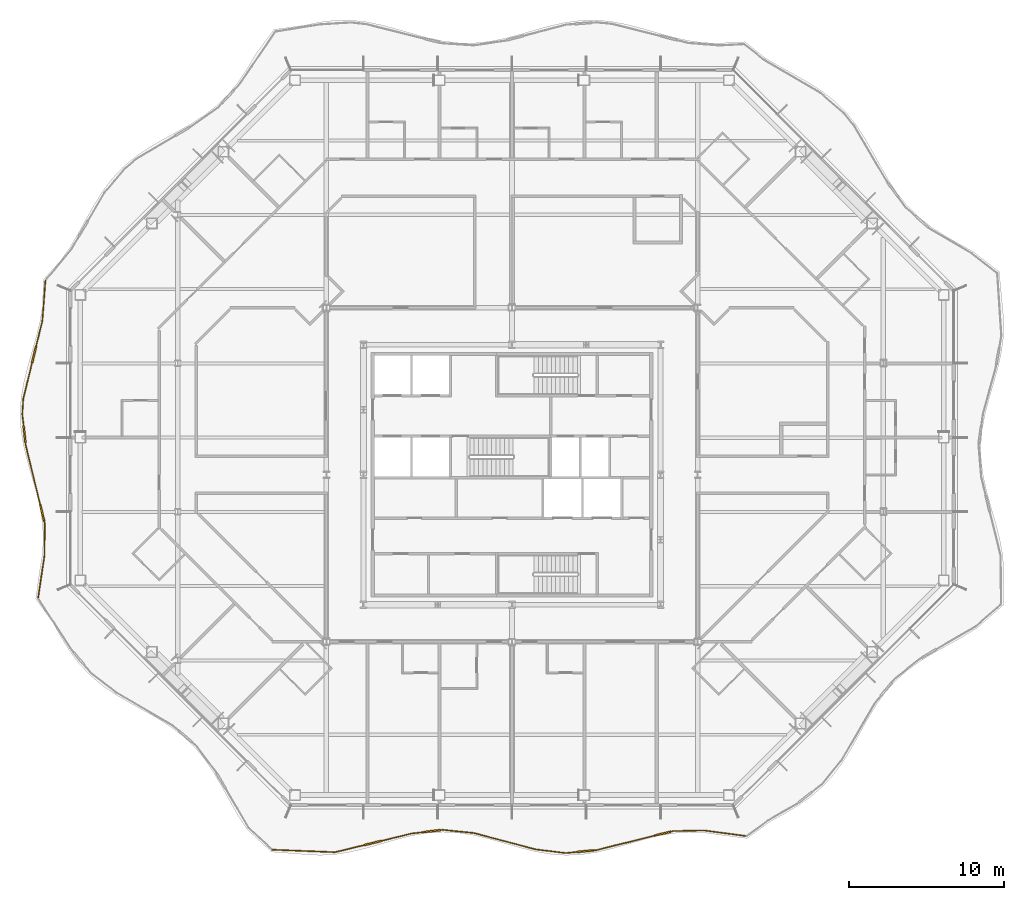
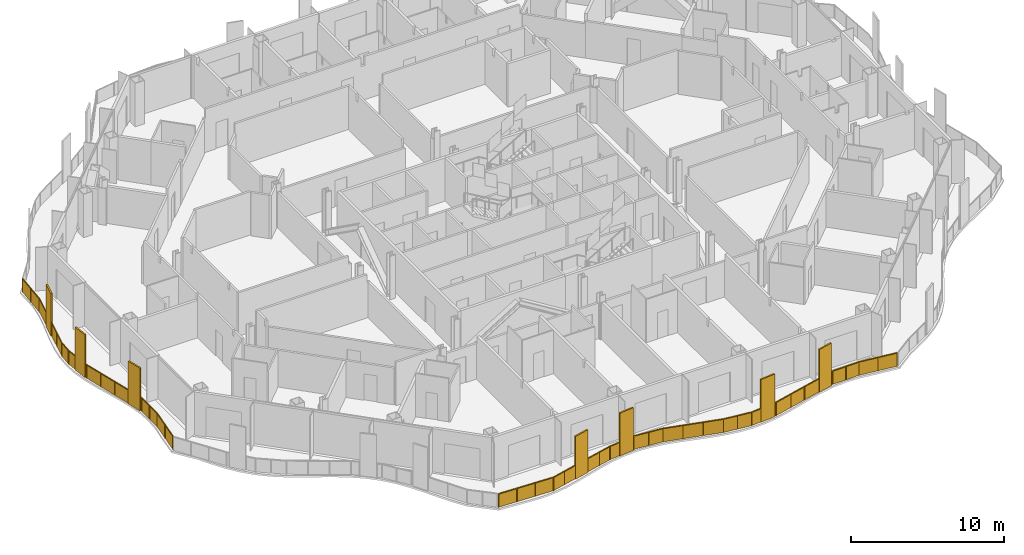
# One storey, part 16 of 21: 2 railings.
"""IFC4 building model written with IfcOpenShell, lengths in metres."""

from ifc_helpers import new_model, si_unit, direction, frame, origin, origin_2d, place, context, subcontext, project, spatial, polyline, rectangle, outline, extrude, material, type_object, element, save


model = new_model("IFC4")

# Units and contexts
model_context = context("Model", 3, precision=1e-05, world=origin(), true_north=direction((0.0, 1.0)))
body_context = subcontext(model_context, "Body", "Model", "MODEL_VIEW")
ifc_project = project(units=[si_unit("LENGTHUNIT", "METRE"), si_unit("AREAUNIT", "SQUARE_METRE"), si_unit("VOLUMEUNIT", "CUBIC_METRE"), si_unit("PLANEANGLEUNIT", "RADIAN"), si_unit("MASSUNIT", "GRAM", prefix="KILO")], contexts=[model_context])

# Site, building, storey
site_placement = place(None, origin())
site = spatial("IfcSite", under=ifc_project, at=site_placement, CompositionType="ELEMENT")
building_placement = place(site_placement, origin())
building = spatial("IfcBuilding", under=site, at=building_placement, Name="Cairn Pilgrim Tower", CompositionType="ELEMENT")
storey_placement = place(building_placement, frame((0.0, 0.0, 136.199951171875)))
storey = spatial("IfcBuildingStorey", under=building, at=storey_placement, Name="L33", CompositionType="ELEMENT", Elevation=136.199951171875)

# Railings
ifc_material = material(Name="Bronze anodised aluminium rail, posts and fin screens with laminated glass infill", Category="aluminium")
railing_type = type_object("IfcRailingType", Name="BALCONY GUARD WITH FIN SCREENS", PredefinedType="GUARDRAIL", material=ifc_material)
railing_1_placement = place(storey_placement, frame((-8.290283203125, -21.832763671875, 0.0)))
element("IfcRailing", 1, at=railing_1_placement, inside=storey, type_object=railing_type, Name="Balcony guard BGF-1 with fin screens", PredefinedType="GUARDRAIL", context=body_context, shape_type="SweptSolid", body=[
    extrude(rectangle(XDim=0.050048828125, YDim=0.050048828125, at=origin_2d()), frame((0.0, 0.0, 1.0751953125), z_axis=(0.999206427871, -0.039831074562, 0.0), x_axis=(0.039831074562, 0.999206427871, 0.0)), (0.0, 0.0, 1.0), 4.0576171875),
    extrude(rectangle(XDim=1.10009765625, YDim=0.110107421875, at=origin_2d()), frame((6.4892578125, 0.43359375, 0.0), z_axis=(0.0, 0.0, 1.0), x_axis=(0.971401950968, 0.237441044589, 0.0)), (0.0, 0.0, 1.0), 3.39990234375),
    extrude(rectangle(XDim=0.050048828125, YDim=0.050048828125, at=origin_2d()), frame((4.054443359375, -0.16162109375, 1.0751953125), z_axis=(0.971401950968, 0.237441044589, 0.0), x_axis=(-0.237441044589, 0.971401950968, 0.0)), (0.0, 0.0, 1.0), 1.95654296875),
    extrude(rectangle(XDim=0.050048828125, YDim=0.050048828125, at=origin_2d()), frame((7.0234375, 0.564208984375, 1.0751953125), z_axis=(0.971401950968, 0.237441044589, 0.0), x_axis=(-0.237441044589, 0.971401950968, 0.0)), (0.0, 0.0, 1.0), 2.04345703125),
    extrude(rectangle(XDim=1.10009765625, YDim=0.110107421875, at=origin_2d()), frame((10.324951171875, 1.20263671875, 0.0), z_axis=(0.0, 0.0, 1.0), x_axis=(0.993295474853, 0.115603199076, 0.0)), (0.0, 0.0, 1.0), 3.39990234375),
    extrude(rectangle(XDim=0.050048828125, YDim=0.050048828125, at=origin_2d()), frame((9.008544921875, 1.04931640625, 1.0751953125), z_axis=(0.993295474853, 0.115603199076, 0.0), x_axis=(-0.115603199076, 0.993295474853, 0.0)), (0.0, 0.0, 1.0), 0.775390625),
    extrude(rectangle(XDim=0.050048828125, YDim=0.050048828125, at=origin_2d()), frame((10.871337890625, 1.26611328125, 1.0751953125), z_axis=(0.993295474853, 0.115603199076, 0.0), x_axis=(-0.115603199076, 0.993295474853, 0.0)), (0.0, 0.0, 1.0), 0.14990234375),
    extrude(rectangle(XDim=0.050048828125, YDim=0.050048828125, at=origin_2d()), frame((11.020263671875, 1.283447265625, 1.0751953125), z_axis=(0.994844327286, -0.101413827788, 0.0), x_axis=(0.101413827788, 0.994844327286, 0.0)), (0.0, 0.0, 1.0), 2.024658203125),
    extrude(rectangle(XDim=0.050048828125, YDim=0.050048828125, at=origin_2d()), frame((13.034423828125, 1.078125, 1.0751953125), z_axis=(0.966537824594, -0.256524138493, 0.0), x_axis=(0.256524138493, 0.966537824594, 0.0)), (0.0, 0.0, 1.0), 4.111572265625),
    extrude(rectangle(XDim=0.050048828125, YDim=0.050048828125, at=origin_2d()), frame((17.00830078125, 0.0234375, 1.0751953125), z_axis=(0.992644427735, -0.121066263206, 0.0), x_axis=(0.121066263206, 0.992644427735, 0.0)), (0.0, 0.0, 1.0), 1.97412109375),
    extrude(rectangle(XDim=1.10009765625, YDim=0.110107421875, at=origin_2d()), frame((20.230224609375, -0.09423828125, 0.0), z_axis=(0.0, 0.0, 1.0), x_axis=(0.995415391014, 0.09564621965, 0.0)), (0.0, 0.0, 1.0), 3.39990234375),
    extrude(rectangle(XDim=0.050048828125, YDim=0.050048828125, at=origin_2d()), frame((18.968017578125, -0.215576171875, 1.0751953125), z_axis=(0.995415391014, 0.09564621965, 0.0), x_axis=(-0.09564621965, 0.995415391014, 0.0)), (0.0, 0.0, 1.0), 0.718017578125),
    extrude(rectangle(XDim=0.050048828125, YDim=0.050048828125, at=origin_2d()), frame((20.77783203125, -0.041748046875, 1.0751953125), z_axis=(0.995415391014, 0.09564621965, 0.0), x_axis=(-0.09564621965, 0.995415391014, 0.0)), (0.0, 0.0, 1.0), 0.14990234375),
    extrude(rectangle(XDim=1.10009765625, YDim=0.110107421875, at=origin_2d()), frame((25.218505859375, 1.035888671875, 0.0), z_axis=(0.0, 0.0, 1.0), x_axis=(0.97065069873, 0.240493702735, 0.0)), (0.0, 0.0, 1.0), 3.39990234375),
    extrude(rectangle(XDim=0.050048828125, YDim=0.050048828125, at=origin_2d()), frame((20.927001953125, -0.02734375, 1.0751953125), z_axis=(0.97065069873, 0.240493702735, 0.0), x_axis=(-0.240493702735, 0.97065069873, 0.0)), (0.0, 0.0, 1.0), 3.871337890625),
    extrude(rectangle(XDim=0.050048828125, YDim=0.050048828125, at=origin_2d()), frame((25.75244140625, 1.168212890625, 1.0751953125), z_axis=(0.97065069873, 0.240493702735, 0.0), x_axis=(-0.240493702735, 0.97065069873, 0.0)), (0.0, 0.0, 1.0), 0.150146484375),
    extrude(rectangle(XDim=0.050048828125, YDim=0.050048828125, at=origin_2d()), frame((25.898193359375, 1.204345703125, 1.0751953125), z_axis=(0.999797678894, 0.02011470303, 0.0), x_axis=(-0.02011470303, 0.999797678894, 0.0)), (0.0, 0.0, 1.0), 2.014892578125),
    extrude(rectangle(XDim=0.050048828125, YDim=0.050048828125, at=origin_2d()), frame((27.91259765625, 1.244873046875, 1.0751953125), z_axis=(0.991180338194, -0.132519950109, 0.0), x_axis=(0.132519950109, 0.991180338194, 0.0)), (0.0, 0.0, 1.0), 2.693359375),
    extrude(rectangle(XDim=0.050048828125, YDim=0.050048828125, at=origin_2d()), origin(), (0.0, 0.0, 1.0), 1.050048828125),
    extrude(rectangle(XDim=0.050048828125, YDim=0.050048828125, at=origin_2d()), frame((1.3515625, -0.053955078125, 0.0)), (0.0, 0.0, 1.0), 1.050048828125),
    extrude(rectangle(XDim=0.050048828125, YDim=0.050048828125, at=origin_2d()), frame((2.702880859375, -0.107666015625, 0.0)), (0.0, 0.0, 1.0), 1.050048828125),
    extrude(rectangle(XDim=0.050048828125, YDim=0.050048828125, at=origin_2d()), frame((4.054443359375, -0.16162109375, 0.0)), (0.0, 0.0, 1.0), 1.050048828125),
    extrude(rectangle(XDim=0.050048828125, YDim=0.050048828125, at=origin_2d()), frame((4.992431640625, 0.067626953125, 0.0)), (0.0, 0.0, 1.0), 1.050048828125),
    extrude(rectangle(XDim=0.050048828125, YDim=0.050048828125, at=origin_2d()), frame((5.9306640625, 0.296875, 0.0)), (0.0, 0.0, 1.0), 1.050048828125),
    extrude(rectangle(XDim=0.050048828125, YDim=0.050048828125, at=origin_2d()), frame((7.0478515625, 0.570068359375, 0.0)), (0.0, 0.0, 1.0), 1.050048828125),
    extrude(rectangle(XDim=0.050048828125, YDim=0.050048828125, at=origin_2d()), frame((8.028076171875, 0.8095703125, 0.0)), (0.0, 0.0, 1.0), 1.050048828125),
    extrude(rectangle(XDim=0.050048828125, YDim=0.050048828125, at=origin_2d()), frame((9.008544921875, 1.04931640625, 0.0)), (0.0, 0.0, 1.0), 1.050048828125),
    extrude(rectangle(XDim=0.050048828125, YDim=0.050048828125, at=origin_2d()), frame((9.75390625, 1.135986328125, 0.0)), (0.0, 0.0, 1.0), 1.050048828125),
    extrude(rectangle(XDim=0.050048828125, YDim=0.050048828125, at=origin_2d()), frame((10.896240234375, 1.26904296875, 0.0)), (0.0, 0.0, 1.0), 1.050048828125),
    extrude(rectangle(XDim=0.050048828125, YDim=0.050048828125, at=origin_2d()), frame((11.020263671875, 1.283447265625, 0.0)), (0.0, 0.0, 1.0), 1.050048828125),
    extrude(rectangle(XDim=0.050048828125, YDim=0.050048828125, at=origin_2d()), frame((12.02734375, 1.1806640625, 0.0)), (0.0, 0.0, 1.0), 1.050048828125),
    extrude(rectangle(XDim=0.050048828125, YDim=0.050048828125, at=origin_2d()), frame((13.034423828125, 1.078125, 0.0)), (0.0, 0.0, 1.0), 1.050048828125),
    extrude(rectangle(XDim=0.050048828125, YDim=0.050048828125, at=origin_2d()), frame((14.359130859375, 0.7265625, 0.0)), (0.0, 0.0, 1.0), 1.050048828125),
    extrude(rectangle(XDim=0.050048828125, YDim=0.050048828125, at=origin_2d()), frame((15.68359375, 0.375, 0.0)), (0.0, 0.0, 1.0), 1.050048828125),
    extrude(rectangle(XDim=0.050048828125, YDim=0.050048828125, at=origin_2d()), frame((17.00830078125, 0.0234375, 0.0)), (0.0, 0.0, 1.0), 1.050048828125),
    extrude(rectangle(XDim=0.050048828125, YDim=0.050048828125, at=origin_2d()), frame((17.98828125, -0.09619140625, 0.0)), (0.0, 0.0, 1.0), 1.050048828125),
    extrude(rectangle(XDim=0.050048828125, YDim=0.050048828125, at=origin_2d()), frame((18.968017578125, -0.215576171875, 0.0)), (0.0, 0.0, 1.0), 1.050048828125),
    extrude(rectangle(XDim=0.050048828125, YDim=0.050048828125, at=origin_2d()), frame((19.657958984375, -0.149169921875, 0.0)), (0.0, 0.0, 1.0), 1.050048828125),
    extrude(rectangle(XDim=0.050048828125, YDim=0.050048828125, at=origin_2d()), frame((20.802734375, -0.039306640625, 0.0)), (0.0, 0.0, 1.0), 1.050048828125),
    extrude(rectangle(XDim=0.050048828125, YDim=0.050048828125, at=origin_2d()), frame((20.927001953125, -0.02734375, 0.0)), (0.0, 0.0, 1.0), 1.050048828125),
    extrude(rectangle(XDim=0.050048828125, YDim=0.050048828125, at=origin_2d()), frame((22.17138671875, 0.281005859375, 0.0)), (0.0, 0.0, 1.0), 1.050048828125),
    extrude(rectangle(XDim=0.050048828125, YDim=0.050048828125, at=origin_2d()), frame((23.416015625, 0.58935546875, 0.0)), (0.0, 0.0, 1.0), 1.050048828125),
    extrude(rectangle(XDim=0.050048828125, YDim=0.050048828125, at=origin_2d()), frame((24.660400390625, 0.897705078125, 0.0)), (0.0, 0.0, 1.0), 1.050048828125),
    extrude(rectangle(XDim=0.050048828125, YDim=0.050048828125, at=origin_2d()), frame((25.77685546875, 1.17431640625, 0.0)), (0.0, 0.0, 1.0), 1.050048828125),
    extrude(rectangle(XDim=0.050048828125, YDim=0.050048828125, at=origin_2d()), frame((25.898193359375, 1.204345703125, 0.0)), (0.0, 0.0, 1.0), 1.050048828125),
    extrude(rectangle(XDim=0.050048828125, YDim=0.050048828125, at=origin_2d()), frame((26.9052734375, 1.224609375, 0.0)), (0.0, 0.0, 1.0), 1.050048828125),
    extrude(rectangle(XDim=0.050048828125, YDim=0.050048828125, at=origin_2d()), frame((27.91259765625, 1.244873046875, 0.0)), (0.0, 0.0, 1.0), 1.050048828125),
    extrude(rectangle(XDim=0.050048828125, YDim=0.050048828125, at=origin_2d()), frame((29.24755859375, 1.06640625, 0.0)), (0.0, 0.0, 1.0), 1.050048828125),
    extrude(rectangle(XDim=0.050048828125, YDim=0.050048828125, at=origin_2d()), frame((30.582275390625, 0.887939453125, 0.0)), (0.0, 0.0, 1.0), 1.050048828125),
    extrude(outline(polyline([(0.02490234375, 0.0), (1.32763671875, 0.0), (1.32763671875, 1.050048828125), (0.02490234375, 1.050048828125), (0.02490234375, 0.0)])), frame((0.000244140625, 0.005859375, 0.0), z_axis=(-0.039831074562, -0.999206427871, 0.0), x_axis=(0.999206427871, -0.039831074562, 0.0)), (0.0, 0.0, 1.0), 0.011962890625),
    extrude(outline(polyline([(0.02490234375, 0.0), (1.32763671875, 0.0), (1.32763671875, 1.050048828125), (0.02490234375, 1.050048828125), (0.02490234375, 0.0)])), frame((1.351806640625, -0.0478515625, 0.0), z_axis=(-0.039831074562, -0.999206427871, 0.0), x_axis=(0.999206427871, -0.039831074562, 0.0)), (0.0, 0.0, 1.0), 0.011962890625),
    extrude(outline(polyline([(0.02490234375, 0.0), (1.32763671875, 0.0), (1.32763671875, 1.050048828125), (0.02490234375, 1.050048828125), (0.02490234375, 0.0)])), frame((2.703125, -0.101806640625, 0.0), z_axis=(-0.039831074562, -0.999206427871, 0.0), x_axis=(0.999206427871, -0.039831074562, 0.0)), (0.0, 0.0, 1.0), 0.011962890625),
    extrude(outline(polyline([(0.02490234375, 0.0), (0.940673828125, 0.0), (0.940673828125, 1.050048828125), (0.02490234375, 1.050048828125), (0.02490234375, 0.0)])), frame((4.052978515625, -0.15576171875, 0.0), z_axis=(0.237441044589, -0.971401950968, 0.0), x_axis=(0.971401950968, 0.237441044589, 0.0)), (0.0, 0.0, 1.0), 0.011962890625),
    extrude(outline(polyline([(0.02490234375, 0.0), (0.940673828125, 0.0), (0.940673828125, 1.050048828125), (0.02490234375, 1.050048828125), (0.02490234375, 0.0)])), frame((4.9912109375, 0.073486328125, 0.0), z_axis=(0.237441044589, -0.971401950968, 0.0), x_axis=(0.971401950968, 0.237441044589, 0.0)), (0.0, 0.0, 1.0), 0.011962890625),
    extrude(outline(polyline([(0.02490234375, 0.0), (0.984130859375, 0.0), (0.984130859375, 1.050048828125), (0.02490234375, 1.050048828125), (0.02490234375, 0.0)])), frame((7.04638671875, 0.575927734375, 0.0), z_axis=(0.237441044589, -0.971401950968, 0.0), x_axis=(0.971401950968, 0.237441044589, 0.0)), (0.0, 0.0, 1.0), 0.011962890625),
    extrude(outline(polyline([(0.02490234375, 0.0), (0.984130859375, 0.0), (0.984130859375, 1.050048828125), (0.02490234375, 1.050048828125), (0.02490234375, 0.0)])), frame((8.02685546875, 0.8154296875, 0.0), z_axis=(0.237441044589, -0.971401950968, 0.0), x_axis=(0.971401950968, 0.237441044589, 0.0)), (0.0, 0.0, 1.0), 0.011962890625),
    extrude(outline(polyline([(0.02490234375, 0.0), (0.725341796875, 0.0), (0.725341796875, 1.050048828125), (0.02490234375, 1.050048828125), (0.02490234375, 0.0)])), frame((9.0078125, 1.05517578125, 0.0), z_axis=(0.115603199076, -0.993295474853, 0.0), x_axis=(0.993295474853, 0.115603199076, 0.0)), (0.0, 0.0, 1.0), 0.011962890625),
    extrude(outline(polyline([(0.02490234375, 0.0), (0.099853515625, 0.0), (0.099853515625, 1.050048828125), (0.02490234375, 1.050048828125), (0.02490234375, 0.0)])), frame((10.8955078125, 1.27490234375, 0.0), z_axis=(0.115603199076, -0.993295474853, 0.0), x_axis=(0.993295474853, 0.115603199076, 0.0)), (0.0, 0.0, 1.0), 0.011962890625),
    extrude(outline(polyline([(0.02490234375, 0.0), (0.9873046875, 0.0), (0.9873046875, 1.050048828125), (0.02490234375, 1.050048828125), (0.02490234375, 0.0)])), frame((11.020751953125, 1.289306640625, 0.0), z_axis=(-0.101413827788, -0.994844327286, 0.0), x_axis=(0.994844327286, -0.101413827788, 0.0)), (0.0, 0.0, 1.0), 0.011962890625),
    extrude(outline(polyline([(0.02490234375, 0.0), (0.9873046875, 0.0), (0.9873046875, 1.050048828125), (0.02490234375, 1.050048828125), (0.02490234375, 0.0)])), frame((12.02783203125, 1.186767578125, 0.0), z_axis=(-0.101413827788, -0.994844327286, 0.0), x_axis=(0.994844327286, -0.101413827788, 0.0)), (0.0, 0.0, 1.0), 0.011962890625),
    extrude(outline(polyline([(0.02490234375, 0.0), (1.345458984375, 0.0), (1.345458984375, 1.050048828125), (0.02490234375, 1.050048828125), (0.02490234375, 0.0)])), frame((13.035888671875, 1.083984375, 0.0), z_axis=(-0.256524138493, -0.966537824594, 0.0), x_axis=(0.966537824594, -0.256524138493, 0.0)), (0.0, 0.0, 1.0), 0.011962890625),
    extrude(outline(polyline([(0.02490234375, 0.0), (1.345458984375, 0.0), (1.345458984375, 1.050048828125), (0.02490234375, 1.050048828125), (0.02490234375, 0.0)])), frame((14.360595703125, 0.732421875, 0.0), z_axis=(-0.256524138493, -0.966537824594, 0.0), x_axis=(0.966537824594, -0.256524138493, 0.0)), (0.0, 0.0, 1.0), 0.011962890625),
    extrude(outline(polyline([(0.02490234375, 0.0), (1.345458984375, 0.0), (1.345458984375, 1.050048828125), (0.02490234375, 1.050048828125), (0.02490234375, 0.0)])), frame((15.685302734375, 0.380859375, 0.0), z_axis=(-0.256524138493, -0.966537824594, 0.0), x_axis=(0.966537824594, -0.256524138493, 0.0)), (0.0, 0.0, 1.0), 0.011962890625),
    extrude(outline(polyline([(0.02490234375, 0.0), (0.962158203125, 0.0), (0.962158203125, 1.050048828125), (0.02490234375, 1.050048828125), (0.02490234375, 0.0)])), frame((17.009033203125, 0.029296875, 0.0), z_axis=(-0.121066263206, -0.992644427735, 0.0), x_axis=(0.992644427735, -0.121066263206, 0.0)), (0.0, 0.0, 1.0), 0.011962890625),
    extrude(outline(polyline([(0.02490234375, 0.0), (0.962158203125, 0.0), (0.962158203125, 1.050048828125), (0.02490234375, 1.050048828125), (0.02490234375, 0.0)])), frame((17.98876953125, -0.090087890625, 0.0), z_axis=(-0.121066263206, -0.992644427735, 0.0), x_axis=(0.992644427735, -0.121066263206, 0.0)), (0.0, 0.0, 1.0), 0.011962890625),
    extrude(outline(polyline([(0.02490234375, 0.0), (0.66796875, 0.0), (0.66796875, 1.050048828125), (0.02490234375, 1.050048828125), (0.02490234375, 0.0)])), frame((18.967529296875, -0.209716796875, 0.0), z_axis=(0.09564621965, -0.995415391014, 0.0), x_axis=(0.995415391014, 0.09564621965, 0.0)), (0.0, 0.0, 1.0), 0.011962890625),
    extrude(outline(polyline([(0.02490234375, 0.0), (0.099853515625, 0.0), (0.099853515625, 1.050048828125), (0.02490234375, 1.050048828125), (0.02490234375, 0.0)])), frame((20.802001953125, -0.033447265625, 0.0), z_axis=(0.09564621965, -0.995415391014, 0.0), x_axis=(0.995415391014, 0.09564621965, 0.0)), (0.0, 0.0, 1.0), 0.011962890625),
    extrude(outline(polyline([(0.02490234375, 0.0), (1.257080078125, 0.0), (1.257080078125, 1.050048828125), (0.02490234375, 1.050048828125), (0.02490234375, 0.0)])), frame((20.925537109375, -0.021484375, 0.0), z_axis=(0.240493702735, -0.97065069873, 0.0), x_axis=(0.97065069873, 0.240493702735, 0.0)), (0.0, 0.0, 1.0), 0.011962890625),
    extrude(outline(polyline([(0.02490234375, 0.0), (1.257080078125, 0.0), (1.257080078125, 1.050048828125), (0.02490234375, 1.050048828125), (0.02490234375, 0.0)])), frame((22.170166015625, 0.286865234375, 0.0), z_axis=(0.240493702735, -0.97065069873, 0.0), x_axis=(0.97065069873, 0.240493702735, 0.0)), (0.0, 0.0, 1.0), 0.011962890625),
    extrude(outline(polyline([(0.02490234375, 0.0), (1.257080078125, 0.0), (1.257080078125, 1.050048828125), (0.02490234375, 1.050048828125), (0.02490234375, 0.0)])), frame((23.41455078125, 0.59521484375, 0.0), z_axis=(0.240493702735, -0.97065069873, 0.0), x_axis=(0.97065069873, 0.240493702735, 0.0)), (0.0, 0.0, 1.0), 0.011962890625),
    extrude(outline(polyline([(0.02490234375, 0.0), (0.10009765625, 0.0), (0.10009765625, 1.050048828125), (0.02490234375, 1.050048828125), (0.02490234375, 0.0)])), frame((25.775390625, 1.18017578125, 0.0), z_axis=(0.240493702735, -0.97065069873, 0.0), x_axis=(0.97065069873, 0.240493702735, 0.0)), (0.0, 0.0, 1.0), 0.011962890625),
    extrude(outline(polyline([(0.02490234375, 0.0), (0.982421875, 0.0), (0.982421875, 1.050048828125), (0.02490234375, 1.050048828125), (0.02490234375, 0.0)])), frame((25.898193359375, 1.210205078125, 0.0), z_axis=(0.02011470303, -0.999797678894, 0.0), x_axis=(0.999797678894, 0.02011470303, 0.0)), (0.0, 0.0, 1.0), 0.011962890625),
    extrude(outline(polyline([(0.02490234375, 0.0), (0.982421875, 0.0), (0.982421875, 1.050048828125), (0.02490234375, 1.050048828125), (0.02490234375, 0.0)])), frame((26.9052734375, 1.23046875, 0.0), z_axis=(0.02011470303, -0.999797678894, 0.0), x_axis=(0.999797678894, 0.02011470303, 0.0)), (0.0, 0.0, 1.0), 0.011962890625),
    extrude(outline(polyline([(0.02490234375, 0.0), (1.32177734375, 0.0), (1.32177734375, 1.050048828125), (0.02490234375, 1.050048828125), (0.02490234375, 0.0)])), frame((27.913330078125, 1.250732421875, 0.0), z_axis=(-0.132519950109, -0.991180338194, 0.0), x_axis=(0.991180338194, -0.132519950109, 0.0)), (0.0, 0.0, 1.0), 0.011962890625),
    extrude(outline(polyline([(0.02490234375, 0.0), (1.32177734375, 0.0), (1.32177734375, 1.050048828125), (0.02490234375, 1.050048828125), (0.02490234375, 0.0)])), frame((29.248291015625, 1.072265625, 0.0), z_axis=(-0.132519950109, -0.991180338194, 0.0), x_axis=(0.991180338194, -0.132519950109, 0.0)), (0.0, 0.0, 1.0), 0.011962890625),
])
railing_2_placement = place(storey_placement, frame((-22.954833984375, 14.962646484375, 0.0)))
element("IfcRailing", 2, at=railing_2_placement, inside=storey, type_object=railing_type, Name="Balcony guard BGF-7 with fin screens", PredefinedType="GUARDRAIL", context=body_context, shape_type="SweptSolid", body=[
    extrude(rectangle(XDim=0.050048828125, YDim=0.050048828125, at=origin_2d()), frame((0.0, 0.0, 1.0751953125), z_axis=(-0.075996812855, -0.997108060561, 0.0), x_axis=(0.997108060561, -0.075996812855, 0.0)), (0.0, 0.0, 1.0), 2.614990234375),
    extrude(rectangle(XDim=1.10009765625, YDim=0.110107421875, at=origin_2d()), frame((-0.733154296875, -4.790283203125, 0.0), z_axis=(0.0, 0.0, 1.0), x_axis=(-0.237816307136, -0.971310148233, 0.0)), (0.0, 0.0, 1.0), 3.39990234375),
    extrude(rectangle(XDim=0.050048828125, YDim=0.050048828125, at=origin_2d()), frame((-0.19873046875, -2.607421875, 1.0751953125), z_axis=(-0.237816307136, -0.971310148233, 0.0), x_axis=(0.971310148233, -0.237816307136, 0.0)), (0.0, 0.0, 1.0), 1.697265625),
    extrude(rectangle(XDim=0.050048828125, YDim=0.050048828125, at=origin_2d()), frame((-0.864013671875, -5.324462890625, 1.0751953125), z_axis=(-0.237816307136, -0.971310148233, 0.0), x_axis=(0.971310148233, -0.237816307136, 0.0)), (0.0, 0.0, 1.0), 2.4033203125),
    extrude(rectangle(XDim=0.050048828125, YDim=0.050048828125, at=origin_2d()), frame((-1.435546875, -7.658935546875, 1.0751953125), z_axis=(-0.0599120253, -0.998203661196, 0.0), x_axis=(0.998203661196, -0.0599120253, 0.0)), (0.0, 0.0, 1.0), 0.986083984375),
    extrude(rectangle(XDim=1.10009765625, YDim=0.110107421875, at=origin_2d()), frame((-1.353271484375, -9.946044921875, 0.0), z_axis=(0.0, 0.0, 1.0), x_axis=(0.107952211914, -0.994156084296, 0.0)), (0.0, 0.0, 1.0), 3.39990234375),
    extrude(rectangle(XDim=0.050048828125, YDim=0.050048828125, at=origin_2d()), frame((-1.49462890625, -8.643310546875, 1.0751953125), z_axis=(0.107952211914, -0.994156084296, 0.0), x_axis=(0.994156084296, 0.107952211914, 0.0)), (0.0, 0.0, 1.0), 0.76025390625),
    extrude(rectangle(XDim=0.050048828125, YDim=0.050048828125, at=origin_2d()), frame((-1.293701171875, -10.49267578125, 1.0751953125), z_axis=(0.107952211914, -0.994156084296, 0.0), x_axis=(0.994156084296, 0.107952211914, 0.0)), (0.0, 0.0, 1.0), 0.150146484375),
    extrude(rectangle(XDim=1.10009765625, YDim=0.110107421875, at=origin_2d()), frame((-0.2119140625, -15.02294921875, 0.0), z_axis=(0.0, 0.0, 1.0), x_axis=(0.236376696123, -0.971661493284, 0.0)), (0.0, 0.0, 1.0), 3.39990234375),
    extrude(rectangle(XDim=0.050048828125, YDim=0.050048828125, at=origin_2d()), frame((-1.277587890625, -10.64208984375, 1.0751953125), z_axis=(0.236376696123, -0.971661493284, 0.0), x_axis=(0.971661493284, 0.236376696123, 0.0)), (0.0, 0.0, 1.0), 3.95849609375),
    extrude(rectangle(XDim=0.050048828125, YDim=0.050048828125, at=origin_2d()), frame((-0.081787109375, -15.557373046875, 1.0751953125), z_axis=(0.236376696123, -0.971661493284, 0.0), x_axis=(0.971661493284, 0.236376696123, 0.0)), (0.0, 0.0, 1.0), 0.150146484375),
    extrude(rectangle(XDim=0.050048828125, YDim=0.050048828125, at=origin_2d()), frame((-0.04638671875, -15.703125, 1.0751953125), z_axis=(-0.007026145488, -0.999975316335, 0.0), x_axis=(0.999975316335, -0.007026145488, 0.0)), (0.0, 0.0, 1.0), 2.050048828125),
    extrude(rectangle(XDim=0.050048828125, YDim=0.050048828125, at=origin_2d()), frame((-0.060791015625, -17.753173828125, 1.0751953125), z_axis=(-0.147107653991, -0.989120487169, 0.0), x_axis=(0.989120487169, -0.147107653991, 0.0)), (0.0, 0.0, 1.0), 2.769775390625),
    extrude(rectangle(XDim=0.050048828125, YDim=0.050048828125, at=origin_2d()), origin(), (0.0, 0.0, 1.0), 1.050048828125),
    extrude(rectangle(XDim=0.050048828125, YDim=0.050048828125, at=origin_2d()), frame((-0.099365234375, -1.3037109375, 0.0)), (0.0, 0.0, 1.0), 1.050048828125),
    extrude(rectangle(XDim=0.050048828125, YDim=0.050048828125, at=origin_2d()), frame((-0.19873046875, -2.607421875, 0.0)), (0.0, 0.0, 1.0), 1.050048828125),
    extrude(rectangle(XDim=0.050048828125, YDim=0.050048828125, at=origin_2d()), frame((-0.596435546875, -4.231689453125, 0.0)), (0.0, 0.0, 1.0), 1.050048828125),
    extrude(rectangle(XDim=0.050048828125, YDim=0.050048828125, at=origin_2d()), frame((-0.869873046875, -5.348876953125, 0.0)), (0.0, 0.0, 1.0), 1.050048828125),
    extrude(rectangle(XDim=0.050048828125, YDim=0.050048828125, at=origin_2d()), frame((-1.15283203125, -6.50390625, 0.0)), (0.0, 0.0, 1.0), 1.050048828125),
    extrude(rectangle(XDim=0.050048828125, YDim=0.050048828125, at=origin_2d()), frame((-1.435546875, -7.658935546875, 0.0)), (0.0, 0.0, 1.0), 1.050048828125),
    extrude(rectangle(XDim=0.050048828125, YDim=0.050048828125, at=origin_2d()), frame((-1.49462890625, -8.643310546875, 0.0)), (0.0, 0.0, 1.0), 1.050048828125),
    extrude(rectangle(XDim=0.050048828125, YDim=0.050048828125, at=origin_2d()), frame((-1.415283203125, -9.374267578125, 0.0)), (0.0, 0.0, 1.0), 1.050048828125),
    extrude(rectangle(XDim=0.050048828125, YDim=0.050048828125, at=origin_2d()), frame((-1.291015625, -10.517578125, 0.0)), (0.0, 0.0, 1.0), 1.050048828125),
    extrude(rectangle(XDim=0.050048828125, YDim=0.050048828125, at=origin_2d()), frame((-1.277587890625, -10.64208984375, 0.0)), (0.0, 0.0, 1.0), 1.050048828125),
    extrude(rectangle(XDim=0.050048828125, YDim=0.050048828125, at=origin_2d()), frame((-0.9677734375, -11.916015625, 0.0)), (0.0, 0.0, 1.0), 1.050048828125),
    extrude(rectangle(XDim=0.050048828125, YDim=0.050048828125, at=origin_2d()), frame((-0.65771484375, -13.190185546875, 0.0)), (0.0, 0.0, 1.0), 1.050048828125),
    extrude(rectangle(XDim=0.050048828125, YDim=0.050048828125, at=origin_2d()), frame((-0.347900390625, -14.464111328125, 0.0)), (0.0, 0.0, 1.0), 1.050048828125),
    extrude(rectangle(XDim=0.050048828125, YDim=0.050048828125, at=origin_2d()), frame((-0.075927734375, -15.58154296875, 0.0)), (0.0, 0.0, 1.0), 1.050048828125),
    extrude(rectangle(XDim=0.050048828125, YDim=0.050048828125, at=origin_2d()), frame((-0.04638671875, -15.703125, 0.0)), (0.0, 0.0, 1.0), 1.050048828125),
    extrude(rectangle(XDim=0.050048828125, YDim=0.050048828125, at=origin_2d()), frame((-0.0537109375, -16.72802734375, 0.0)), (0.0, 0.0, 1.0), 1.050048828125),
    extrude(rectangle(XDim=0.050048828125, YDim=0.050048828125, at=origin_2d()), frame((-0.060791015625, -17.753173828125, 0.0)), (0.0, 0.0, 1.0), 1.050048828125),
    extrude(rectangle(XDim=0.050048828125, YDim=0.050048828125, at=origin_2d()), frame((-0.2646484375, -19.123046875, 0.0)), (0.0, 0.0, 1.0), 1.050048828125),
    extrude(rectangle(XDim=0.050048828125, YDim=0.050048828125, at=origin_2d()), frame((-0.46826171875, -20.492919921875, 0.0)), (0.0, 0.0, 1.0), 1.050048828125),
    extrude(outline(polyline([(0.02490234375, 0.0), (1.282470703125, 0.0), (1.282470703125, 1.050048828125), (0.02490234375, 1.050048828125), (0.02490234375, 0.0)])), frame((0.005859375, -0.00048828125, 0.0), z_axis=(-0.997108060561, 0.075996812855, 0.0), x_axis=(-0.075996812855, -0.997108060561, 0.0)), (0.0, 0.0, 1.0), 0.011962890625),
    extrude(outline(polyline([(0.02490234375, 0.0), (1.282470703125, 0.0), (1.282470703125, 1.050048828125), (0.02490234375, 1.050048828125), (0.02490234375, 0.0)])), frame((-0.093505859375, -1.30419921875, 0.0), z_axis=(-0.997108060561, 0.075996812855, 0.0), x_axis=(-0.075996812855, -0.997108060561, 0.0)), (0.0, 0.0, 1.0), 0.011962890625),
    extrude(outline(polyline([(0.02490234375, 0.0), (1.647216796875, 0.0), (1.647216796875, 1.050048828125), (0.02490234375, 1.050048828125), (0.02490234375, 0.0)])), frame((-0.19287109375, -2.60888671875, 0.0), z_axis=(-0.971310148233, 0.237816307136, 0.0), x_axis=(-0.237816307136, -0.971310148233, 0.0)), (0.0, 0.0, 1.0), 0.011962890625),
    extrude(outline(polyline([(0.02490234375, 0.0), (1.1640625, 0.0), (1.1640625, 1.050048828125), (0.02490234375, 1.050048828125), (0.02490234375, 0.0)])), frame((-0.864013671875, -5.35009765625, 0.0), z_axis=(-0.971310148233, 0.237816307136, 0.0), x_axis=(-0.237816307136, -0.971310148233, 0.0)), (0.0, 0.0, 1.0), 0.011962890625),
    extrude(outline(polyline([(0.02490234375, 0.0), (1.1640625, 0.0), (1.1640625, 1.050048828125), (0.02490234375, 1.050048828125), (0.02490234375, 0.0)])), frame((-1.14697265625, -6.50537109375, 0.0), z_axis=(-0.971310148233, 0.237816307136, 0.0), x_axis=(-0.237816307136, -0.971310148233, 0.0)), (0.0, 0.0, 1.0), 0.011962890625),
    extrude(outline(polyline([(0.02490234375, 0.0), (0.961181640625, 0.0), (0.961181640625, 1.050048828125), (0.02490234375, 1.050048828125), (0.02490234375, 0.0)])), frame((-1.4296875, -7.6591796875, 0.0), z_axis=(-0.998203661196, 0.0599120253, 0.0), x_axis=(-0.0599120253, -0.998203661196, 0.0)), (0.0, 0.0, 1.0), 0.011962890625),
    extrude(outline(polyline([(0.02490234375, 0.0), (0.710205078125, 0.0), (0.710205078125, 1.050048828125), (0.02490234375, 1.050048828125), (0.02490234375, 0.0)])), frame((-1.48876953125, -8.642578125, 0.0), z_axis=(-0.994156084296, -0.107952211914, 0.0), x_axis=(0.107952211914, -0.994156084296, 0.0)), (0.0, 0.0, 1.0), 0.011962890625),
    extrude(outline(polyline([(0.02490234375, 0.0), (0.10009765625, 0.0), (0.10009765625, 1.050048828125), (0.02490234375, 1.050048828125), (0.02490234375, 0.0)])), frame((-1.28515625, -10.51708984375, 0.0), z_axis=(-0.994156084296, -0.107952211914, 0.0), x_axis=(0.107952211914, -0.994156084296, 0.0)), (0.0, 0.0, 1.0), 0.011962890625),
    extrude(outline(polyline([(0.02490234375, 0.0), (1.2861328125, 0.0), (1.2861328125, 1.050048828125), (0.02490234375, 1.050048828125), (0.02490234375, 0.0)])), frame((-1.271728515625, -10.640625, 0.0), z_axis=(-0.971661493284, -0.236376696123, 0.0), x_axis=(0.236376696123, -0.971661493284, 0.0)), (0.0, 0.0, 1.0), 0.011962890625),
    extrude(outline(polyline([(0.02490234375, 0.0), (1.2861328125, 0.0), (1.2861328125, 1.050048828125), (0.02490234375, 1.050048828125), (0.02490234375, 0.0)])), frame((-0.9619140625, -11.914794921875, 0.0), z_axis=(-0.971661493284, -0.236376696123, 0.0), x_axis=(0.236376696123, -0.971661493284, 0.0)), (0.0, 0.0, 1.0), 0.011962890625),
    extrude(outline(polyline([(0.02490234375, 0.0), (1.2861328125, 0.0), (1.2861328125, 1.050048828125), (0.02490234375, 1.050048828125), (0.02490234375, 0.0)])), frame((-0.65185546875, -13.188720703125, 0.0), z_axis=(-0.971661493284, -0.236376696123, 0.0), x_axis=(0.236376696123, -0.971661493284, 0.0)), (0.0, 0.0, 1.0), 0.011962890625),
    extrude(outline(polyline([(0.02490234375, 0.0), (0.10009765625, 0.0), (0.10009765625, 1.050048828125), (0.02490234375, 1.050048828125), (0.02490234375, 0.0)])), frame((-0.070068359375, -15.580078125, 0.0), z_axis=(-0.971661493284, -0.236376696123, 0.0), x_axis=(0.236376696123, -0.971661493284, 0.0)), (0.0, 0.0, 1.0), 0.011962890625),
    extrude(outline(polyline([(0.02490234375, 0.0), (1.0, 0.0), (1.0, 1.050048828125), (0.02490234375, 1.050048828125), (0.02490234375, 0.0)])), frame((-0.04052734375, -15.703125, 0.0), z_axis=(-0.999975316335, 0.007026145488, 0.0), x_axis=(-0.007026145488, -0.999975316335, 0.0)), (0.0, 0.0, 1.0), 0.011962890625),
    extrude(outline(polyline([(0.02490234375, 0.0), (1.0, 0.0), (1.0, 1.050048828125), (0.02490234375, 1.050048828125), (0.02490234375, 0.0)])), frame((-0.047607421875, -16.728271484375, 0.0), z_axis=(-0.999975316335, 0.007026145488, 0.0), x_axis=(-0.007026145488, -0.999975316335, 0.0)), (0.0, 0.0, 1.0), 0.011962890625),
    extrude(outline(polyline([(0.02490234375, 0.0), (1.35986328125, 0.0), (1.35986328125, 1.050048828125), (0.02490234375, 1.050048828125), (0.02490234375, 0.0)])), frame((-0.054931640625, -17.754150390625, 0.0), z_axis=(-0.989120487169, 0.147107653991, 0.0), x_axis=(-0.147107653991, -0.989120487169, 0.0)), (0.0, 0.0, 1.0), 0.011962890625),
    extrude(outline(polyline([(0.02490234375, 0.0), (1.35986328125, 0.0), (1.35986328125, 1.050048828125), (0.02490234375, 1.050048828125), (0.02490234375, 0.0)])), frame((-0.258544921875, -19.1240234375, 0.0), z_axis=(-0.989120487169, 0.147107653991, 0.0), x_axis=(-0.147107653991, -0.989120487169, 0.0)), (0.0, 0.0, 1.0), 0.011962890625),
])

save(model, "model.ifc")
